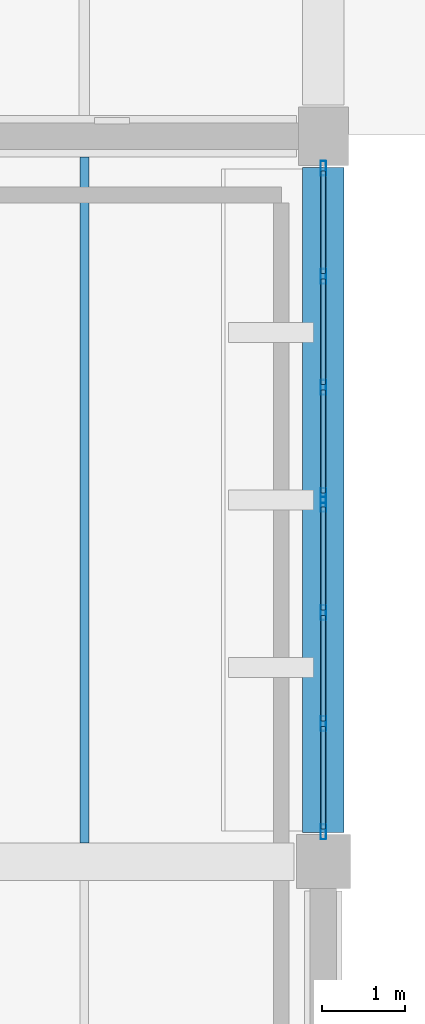
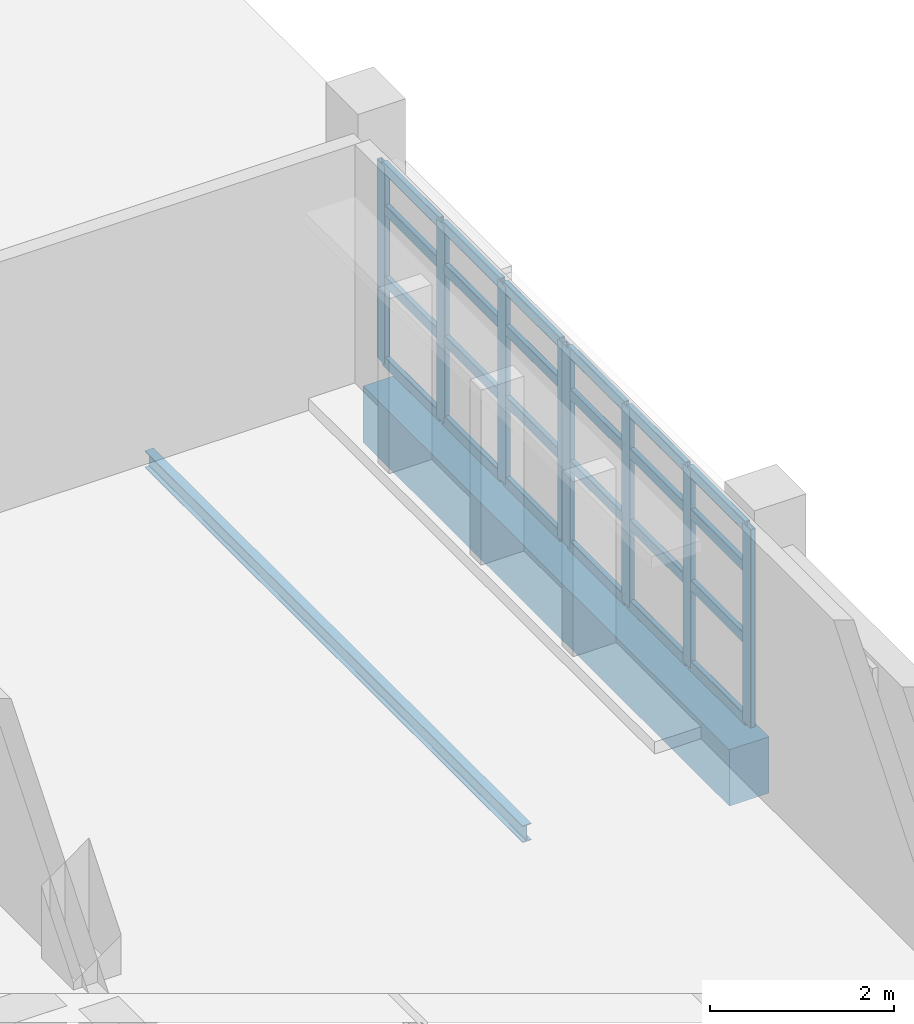
# One storey, part 64 of 93: 32 members, 2 beams, 2 elements without a shape of their own.
"""IFC4 building model written with IfcOpenShell, lengths in metres."""

from ifc_helpers import new_model, si_unit, direction, frame, origin, origin_2d, place, context, subcontext, project, spatial, rectangle, hollow_rectangle, i_section, extrude, material, material_profile, profile_set, type_object, element, aggregate, save


model = new_model("IFC4")

# Units and contexts
model_context = context("Model", 3, precision=1e-05, world=origin(), true_north=direction((0.0, 1.0)))
body_context = subcontext(model_context, "Body", "Model", "MODEL_VIEW")
ifc_project = project(units=[si_unit("LENGTHUNIT", "METRE"), si_unit("AREAUNIT", "SQUARE_METRE"), si_unit("VOLUMEUNIT", "CUBIC_METRE"), si_unit("PLANEANGLEUNIT", "RADIAN"), si_unit("MASSUNIT", "GRAM", prefix="KILO")], contexts=[model_context])

# Site, building, storey
site_placement = place(None, origin())
site = spatial("IfcSite", under=ifc_project, at=site_placement, CompositionType="ELEMENT")
building_placement = place(site_placement, origin())
building = spatial("IfcBuilding", under=site, at=building_placement, Name="Varnakota Cinema and Media Centre", CompositionType="ELEMENT")
storey_placement = place(building_placement, frame((0.0, 0.0, 12.0)))
storey = spatial("IfcBuildingStorey", under=building, at=storey_placement, Name="L03", CompositionType="ELEMENT", Elevation=12.0)

# Beams
ifc_material_1 = material(Name="Concrete M35", Category="concrete")
ifc_material_profile_1 = material_profile(ifc_material_1, rectangle(XDim=0.5, YDim=0.75, at=origin_2d()), Name="RCB 500x750")
ifc_profile_set_1 = profile_set([ifc_material_profile_1], Name="Concrete M35")
beam_type_1 = type_object("IfcBeamType", Name="BM-RC-500x750", PredefinedType="BEAM", material=ifc_profile_set_1)
beam_1_placement = place(storey_placement, frame((34.39990234375, 69.85009765625, -0.635009765625), z_axis=(0.0, 1.0, 0.0), x_axis=(-1.0, 0.0, 0.0)))
element("IfcBeam", 1, at=beam_1_placement, inside=storey, type_object=beam_type_1, Name="L03 girder E/9-10", PredefinedType="BEAM", context=body_context, shape_type="SweptSolid", body=[
    extrude(rectangle(XDim=0.5, YDim=0.75, at=origin_2d()), origin(), (0.0, 0.0, 1.0), 7.974853515625),
])
ifc_material_2 = material(Name="Structural steel Grade 350 (E350)", Category="steel")
ifc_material_profile_2 = material_profile(ifc_material_2, i_section(OverallWidth=0.110107421875, OverallDepth=0.22509765625, WebThickness=0.006591796875, FlangeThickness=0.01171875, FilletRadius=0.011962890625, at=origin_2d()), Name="ISMB 225")
ifc_profile_set_2 = profile_set([ifc_material_profile_2], Name="Structural steel Grade 350 (E350)")
beam_type_2 = type_object("IfcBeamType", Name="BM-ST-ISMB225", PredefinedType="JOIST", material=ifc_profile_set_2)
beam_2_placement = place(storey_placement, frame((31.533203125, 69.72509765625, -0.37255859375), z_axis=(0.0, 1.0, 0.0), x_axis=(-1.0, 0.0, 0.0)))
element("IfcBeam", 2, at=beam_2_placement, inside=storey, type_object=beam_type_2, Name="L03 steel joist D-E/9-10 #2", PredefinedType="JOIST", context=body_context, shape_type="SweptSolid", body=[
    extrude(i_section(OverallWidth=0.110107421875, OverallDepth=0.22509765625, WebThickness=0.006591796875, FlangeThickness=0.01171875, FilletRadius=0.011962890625, at=origin_2d()), origin(), (0.0, 0.0, 1.0), 8.224853515625),
])

# Curtain wall, members
ifc_material_3 = material(Name="Thermally broken anodised aluminium AW-6063", Category="aluminium")
curtain_wall_type = type_object("IfcCurtainWallType", Name="CW-STD-399x264", PredefinedType="USERDEFINED", material=ifc_material_3)
curtain_wall_1_placement = place(storey_placement, origin())
curtain_wall_1 = element("IfcCurtainWall", 3, at=curtain_wall_1_placement, inside=storey, type_object=curtain_wall_type, Name="L03 curtain wall CW-L03-V5-E-05-1", ObjectType="UNITISED CURTAIN WALL", PredefinedType="USERDEFINED")
ifc_material_4 = material(Name="Thermally broken anodised aluminium AW-6063", Category="aluminium")
ifc_material_profile_3 = material_profile(ifc_material_4, hollow_rectangle(XDim=0.06494140625, YDim=0.179931640625, WallThickness=0.00390625, InnerFilletRadius=0.00390625, OuterFilletRadius=0.008056640625, at=origin_2d()), Name="AL-MULLION 180x65x4")
ifc_profile_set_3 = profile_set([ifc_material_profile_3], Name="Thermally broken anodised aluminium AW-6063")
member_type_1 = type_object("IfcMemberType", Name="CWM-AL-180", PredefinedType="MULLION", material=ifc_profile_set_3)
member_1_placement = place(storey_placement, frame((34.39990234375, 69.857421875, 0.0), z_axis=(0.0, 0.0, 1.0), x_axis=(-1.0, 0.0, 0.0)))
member_1 = element("IfcMember", 4, at=member_1_placement, type_object=member_type_1, Name="CW43 mullion 1", PredefinedType="MULLION", context=body_context, shape_type="SweptSolid", body=[
    extrude(hollow_rectangle(XDim=0.06494140625, YDim=0.179931640625, WallThickness=0.00390625, InnerFilletRadius=0.00390625, OuterFilletRadius=0.008056640625, at=origin_2d()), origin(), (0.0, 0.0, 1.0), 2.635009765625),
])
member_2_placement = place(storey_placement, frame((34.39990234375, 71.15576171875, 0.0), z_axis=(0.0, 0.0, 1.0), x_axis=(-1.0, 0.0, 0.0)))
member_2 = element("IfcMember", 5, at=member_2_placement, type_object=member_type_1, Name="CW43 mullion 2", PredefinedType="MULLION", context=body_context, shape_type="SweptSolid", body=[
    extrude(hollow_rectangle(XDim=0.06494140625, YDim=0.179931640625, WallThickness=0.00390625, InnerFilletRadius=0.00390625, OuterFilletRadius=0.008056640625, at=origin_2d()), origin(), (0.0, 0.0, 1.0), 2.635009765625),
])
member_3_placement = place(storey_placement, frame((34.39990234375, 72.486572265625, 0.0), z_axis=(0.0, 0.0, 1.0), x_axis=(-1.0, 0.0, 0.0)))
member_3 = element("IfcMember", 6, at=member_3_placement, type_object=member_type_1, Name="CW43 mullion 3", PredefinedType="MULLION", context=body_context, shape_type="SweptSolid", body=[
    extrude(hollow_rectangle(XDim=0.06494140625, YDim=0.179931640625, WallThickness=0.00390625, InnerFilletRadius=0.00390625, OuterFilletRadius=0.008056640625, at=origin_2d()), origin(), (0.0, 0.0, 1.0), 2.635009765625),
])
member_4_placement = place(storey_placement, frame((34.39990234375, 73.784912109375, 0.0), z_axis=(0.0, 0.0, 1.0), x_axis=(-1.0, 0.0, 0.0)))
member_4 = element("IfcMember", 7, at=member_4_placement, type_object=member_type_1, Name="CW43 mullion 4", PredefinedType="MULLION", context=body_context, shape_type="SweptSolid", body=[
    extrude(hollow_rectangle(XDim=0.06494140625, YDim=0.179931640625, WallThickness=0.00390625, InnerFilletRadius=0.00390625, OuterFilletRadius=0.008056640625, at=origin_2d()), origin(), (0.0, 0.0, 1.0), 2.635009765625),
])

curtain_wall_2_placement = place(storey_placement, origin())
curtain_wall_2 = element("IfcCurtainWall", 8, at=curtain_wall_2_placement, inside=storey, type_object=curtain_wall_type, Name="L03 curtain wall CW-L03-V5-E-05-2", ObjectType="UNITISED CURTAIN WALL", PredefinedType="USERDEFINED")
member_5_placement = place(storey_placement, frame((34.39990234375, 73.889892578125, 0.0), z_axis=(0.0, 0.0, 1.0), x_axis=(-1.0, 0.0, 0.0)))
member_5 = element("IfcMember", 9, at=member_5_placement, type_object=member_type_1, Name="CW43 mullion 1", PredefinedType="MULLION", context=body_context, shape_type="SweptSolid", body=[
    extrude(hollow_rectangle(XDim=0.06494140625, YDim=0.179931640625, WallThickness=0.00390625, InnerFilletRadius=0.00390625, OuterFilletRadius=0.008056640625, at=origin_2d()), origin(), (0.0, 0.0, 1.0), 2.635009765625),
])
member_6_placement = place(storey_placement, frame((34.39990234375, 75.188232421875, 0.0), z_axis=(0.0, 0.0, 1.0), x_axis=(-1.0, 0.0, 0.0)))
member_6 = element("IfcMember", 10, at=member_6_placement, type_object=member_type_1, Name="CW43 mullion 2", PredefinedType="MULLION", context=body_context, shape_type="SweptSolid", body=[
    extrude(hollow_rectangle(XDim=0.06494140625, YDim=0.179931640625, WallThickness=0.00390625, InnerFilletRadius=0.00390625, OuterFilletRadius=0.008056640625, at=origin_2d()), origin(), (0.0, 0.0, 1.0), 2.635009765625),
])
member_7_placement = place(storey_placement, frame((34.39990234375, 76.519287109375, 0.0), z_axis=(0.0, 0.0, 1.0), x_axis=(-1.0, 0.0, 0.0)))
member_7 = element("IfcMember", 11, at=member_7_placement, type_object=member_type_1, Name="CW43 mullion 3", PredefinedType="MULLION", context=body_context, shape_type="SweptSolid", body=[
    extrude(hollow_rectangle(XDim=0.06494140625, YDim=0.179931640625, WallThickness=0.00390625, InnerFilletRadius=0.00390625, OuterFilletRadius=0.008056640625, at=origin_2d()), origin(), (0.0, 0.0, 1.0), 2.635009765625),
])
member_8_placement = place(storey_placement, frame((34.39990234375, 77.8173828125, 0.0), z_axis=(0.0, 0.0, 1.0), x_axis=(-1.0, 0.0, 0.0)))
member_8 = element("IfcMember", 12, at=member_8_placement, type_object=member_type_1, Name="CW43 mullion 4", PredefinedType="MULLION", context=body_context, shape_type="SweptSolid", body=[
    extrude(hollow_rectangle(XDim=0.06494140625, YDim=0.179931640625, WallThickness=0.00390625, InnerFilletRadius=0.00390625, OuterFilletRadius=0.008056640625, at=origin_2d()), origin(), (0.0, 0.0, 1.0), 2.635009765625),
])

# Member
ifc_material_5 = material(Name="Thermally broken anodised aluminium AW-6063", Category="aluminium")
ifc_material_profile_4 = material_profile(ifc_material_5, hollow_rectangle(XDim=0.06494140625, YDim=0.139892578125, WallThickness=0.00390625, InnerFilletRadius=0.00390625, OuterFilletRadius=0.008056640625, at=origin_2d()), Name="AL-TRANSOM 140x65x4")
ifc_profile_set_4 = profile_set([ifc_material_profile_4], Name="Thermally broken anodised aluminium AW-6063")
member_type_2 = type_object("IfcMemberType", Name="CWT-AL-140", PredefinedType="USERDEFINED", material=ifc_profile_set_4)
member_9_placement = place(storey_placement, frame((34.39990234375, 69.889892578125, 0.032470703125), z_axis=(0.0, 1.0, 0.0), x_axis=(-1.0, 0.0, 0.0)))
member_9 = element("IfcMember", 13, at=member_9_placement, type_object=member_type_2, Name="CW43 transom 1.1", ObjectType="TRANSOM", PredefinedType="USERDEFINED", context=body_context, shape_type="SweptSolid", body=[
    extrude(hollow_rectangle(XDim=0.06494140625, YDim=0.139892578125, WallThickness=0.00390625, InnerFilletRadius=0.00390625, OuterFilletRadius=0.008056640625, at=origin_2d()), origin(), (0.0, 0.0, 1.0), 1.2333984375),
])

member_10_placement = place(storey_placement, frame((34.39990234375, 69.889892578125, 1.106689453125), z_axis=(0.0, 1.0, 0.0), x_axis=(-1.0, 0.0, 0.0)))
member_10 = element("IfcMember", 14, at=member_10_placement, type_object=member_type_2, Name="CW43 transom 1.2", ObjectType="TRANSOM", PredefinedType="USERDEFINED", context=body_context, shape_type="SweptSolid", body=[
    extrude(hollow_rectangle(XDim=0.06494140625, YDim=0.139892578125, WallThickness=0.00390625, InnerFilletRadius=0.00390625, OuterFilletRadius=0.008056640625, at=origin_2d()), origin(), (0.0, 0.0, 1.0), 1.2333984375),
])

member_11_placement = place(storey_placement, frame((34.39990234375, 69.889892578125, 2.055419921875), z_axis=(0.0, 1.0, 0.0), x_axis=(-1.0, 0.0, 0.0)))
member_11 = element("IfcMember", 15, at=member_11_placement, type_object=member_type_2, Name="CW43 transom 1.3", ObjectType="TRANSOM", PredefinedType="USERDEFINED", context=body_context, shape_type="SweptSolid", body=[
    extrude(hollow_rectangle(XDim=0.06494140625, YDim=0.139892578125, WallThickness=0.00390625, InnerFilletRadius=0.00390625, OuterFilletRadius=0.008056640625, at=origin_2d()), origin(), (0.0, 0.0, 1.0), 1.2333984375),
])

member_12_placement = place(storey_placement, frame((34.39990234375, 69.889892578125, 2.6025390625), z_axis=(0.0, 1.0, 0.0), x_axis=(-1.0, 0.0, 0.0)))
member_12 = element("IfcMember", 16, at=member_12_placement, type_object=member_type_2, Name="CW43 transom 1.4", ObjectType="TRANSOM", PredefinedType="USERDEFINED", context=body_context, shape_type="SweptSolid", body=[
    extrude(hollow_rectangle(XDim=0.06494140625, YDim=0.139892578125, WallThickness=0.00390625, InnerFilletRadius=0.00390625, OuterFilletRadius=0.008056640625, at=origin_2d()), origin(), (0.0, 0.0, 1.0), 1.2333984375),
])

member_13_placement = place(storey_placement, frame((34.39990234375, 71.188232421875, 0.032470703125), z_axis=(0.0, 1.0, 0.0), x_axis=(-1.0, 0.0, 0.0)))
member_13 = element("IfcMember", 17, at=member_13_placement, type_object=member_type_2, Name="CW43 transom 2.1", ObjectType="TRANSOM", PredefinedType="USERDEFINED", context=body_context, shape_type="SweptSolid", body=[
    extrude(hollow_rectangle(XDim=0.06494140625, YDim=0.139892578125, WallThickness=0.00390625, InnerFilletRadius=0.00390625, OuterFilletRadius=0.008056640625, at=origin_2d()), origin(), (0.0, 0.0, 1.0), 1.265869140625),
])

member_14_placement = place(storey_placement, frame((34.39990234375, 71.188232421875, 1.106689453125), z_axis=(0.0, 1.0, 0.0), x_axis=(-1.0, 0.0, 0.0)))
member_14 = element("IfcMember", 18, at=member_14_placement, type_object=member_type_2, Name="CW43 transom 2.2", ObjectType="TRANSOM", PredefinedType="USERDEFINED", context=body_context, shape_type="SweptSolid", body=[
    extrude(hollow_rectangle(XDim=0.06494140625, YDim=0.139892578125, WallThickness=0.00390625, InnerFilletRadius=0.00390625, OuterFilletRadius=0.008056640625, at=origin_2d()), origin(), (0.0, 0.0, 1.0), 1.265869140625),
])

member_15_placement = place(storey_placement, frame((34.39990234375, 71.188232421875, 2.055419921875), z_axis=(0.0, 1.0, 0.0), x_axis=(-1.0, 0.0, 0.0)))
member_15 = element("IfcMember", 19, at=member_15_placement, type_object=member_type_2, Name="CW43 transom 2.3", ObjectType="TRANSOM", PredefinedType="USERDEFINED", context=body_context, shape_type="SweptSolid", body=[
    extrude(hollow_rectangle(XDim=0.06494140625, YDim=0.139892578125, WallThickness=0.00390625, InnerFilletRadius=0.00390625, OuterFilletRadius=0.008056640625, at=origin_2d()), origin(), (0.0, 0.0, 1.0), 1.265869140625),
])

member_16_placement = place(storey_placement, frame((34.39990234375, 71.188232421875, 2.6025390625), z_axis=(0.0, 1.0, 0.0), x_axis=(-1.0, 0.0, 0.0)))
member_16 = element("IfcMember", 20, at=member_16_placement, type_object=member_type_2, Name="CW43 transom 2.4", ObjectType="TRANSOM", PredefinedType="USERDEFINED", context=body_context, shape_type="SweptSolid", body=[
    extrude(hollow_rectangle(XDim=0.06494140625, YDim=0.139892578125, WallThickness=0.00390625, InnerFilletRadius=0.00390625, OuterFilletRadius=0.008056640625, at=origin_2d()), origin(), (0.0, 0.0, 1.0), 1.265869140625),
])

member_17_placement = place(storey_placement, frame((34.39990234375, 72.519287109375, 0.032470703125), z_axis=(0.0, 1.0, 0.0), x_axis=(-1.0, 0.0, 0.0)))
member_17 = element("IfcMember", 21, at=member_17_placement, type_object=member_type_2, Name="CW43 transom 3.1", ObjectType="TRANSOM", PredefinedType="USERDEFINED", context=body_context, shape_type="SweptSolid", body=[
    extrude(hollow_rectangle(XDim=0.06494140625, YDim=0.139892578125, WallThickness=0.00390625, InnerFilletRadius=0.00390625, OuterFilletRadius=0.008056640625, at=origin_2d()), origin(), (0.0, 0.0, 1.0), 1.233154296875),
])

member_18_placement = place(storey_placement, frame((34.39990234375, 72.519287109375, 1.106689453125), z_axis=(0.0, 1.0, 0.0), x_axis=(-1.0, 0.0, 0.0)))
member_18 = element("IfcMember", 22, at=member_18_placement, type_object=member_type_2, Name="CW43 transom 3.2", ObjectType="TRANSOM", PredefinedType="USERDEFINED", context=body_context, shape_type="SweptSolid", body=[
    extrude(hollow_rectangle(XDim=0.06494140625, YDim=0.139892578125, WallThickness=0.00390625, InnerFilletRadius=0.00390625, OuterFilletRadius=0.008056640625, at=origin_2d()), origin(), (0.0, 0.0, 1.0), 1.233154296875),
])

member_19_placement = place(storey_placement, frame((34.39990234375, 72.519287109375, 2.055419921875), z_axis=(0.0, 1.0, 0.0), x_axis=(-1.0, 0.0, 0.0)))
member_19 = element("IfcMember", 23, at=member_19_placement, type_object=member_type_2, Name="CW43 transom 3.3", ObjectType="TRANSOM", PredefinedType="USERDEFINED", context=body_context, shape_type="SweptSolid", body=[
    extrude(hollow_rectangle(XDim=0.06494140625, YDim=0.139892578125, WallThickness=0.00390625, InnerFilletRadius=0.00390625, OuterFilletRadius=0.008056640625, at=origin_2d()), origin(), (0.0, 0.0, 1.0), 1.233154296875),
])

member_20_placement = place(storey_placement, frame((34.39990234375, 72.519287109375, 2.6025390625), z_axis=(0.0, 1.0, 0.0), x_axis=(-1.0, 0.0, 0.0)))
member_20 = element("IfcMember", 24, at=member_20_placement, type_object=member_type_2, Name="CW43 transom 3.4", ObjectType="TRANSOM", PredefinedType="USERDEFINED", context=body_context, shape_type="SweptSolid", body=[
    extrude(hollow_rectangle(XDim=0.06494140625, YDim=0.139892578125, WallThickness=0.00390625, InnerFilletRadius=0.00390625, OuterFilletRadius=0.008056640625, at=origin_2d()), origin(), (0.0, 0.0, 1.0), 1.233154296875),
])

aggregate(curtain_wall_1, [member_1, member_2, member_3, member_4, member_9, member_10, member_11, member_12, member_13, member_14, member_15, member_16, member_17, member_18, member_19, member_20])

member_21_placement = place(storey_placement, frame((34.39990234375, 73.922607421875, 0.032470703125), z_axis=(0.0, 1.0, 0.0), x_axis=(-1.0, 0.0, 0.0)))
member_21 = element("IfcMember", 25, at=member_21_placement, type_object=member_type_2, Name="CW43 transom 1.1", ObjectType="TRANSOM", PredefinedType="USERDEFINED", context=body_context, shape_type="SweptSolid", body=[
    extrude(hollow_rectangle(XDim=0.06494140625, YDim=0.139892578125, WallThickness=0.00390625, InnerFilletRadius=0.00390625, OuterFilletRadius=0.008056640625, at=origin_2d()), origin(), (0.0, 0.0, 1.0), 1.233154296875),
])

member_22_placement = place(storey_placement, frame((34.39990234375, 73.922607421875, 1.106689453125), z_axis=(0.0, 1.0, 0.0), x_axis=(-1.0, 0.0, 0.0)))
member_22 = element("IfcMember", 26, at=member_22_placement, type_object=member_type_2, Name="CW43 transom 1.2", ObjectType="TRANSOM", PredefinedType="USERDEFINED", context=body_context, shape_type="SweptSolid", body=[
    extrude(hollow_rectangle(XDim=0.06494140625, YDim=0.139892578125, WallThickness=0.00390625, InnerFilletRadius=0.00390625, OuterFilletRadius=0.008056640625, at=origin_2d()), origin(), (0.0, 0.0, 1.0), 1.233154296875),
])

member_23_placement = place(storey_placement, frame((34.39990234375, 73.922607421875, 2.055419921875), z_axis=(0.0, 1.0, 0.0), x_axis=(-1.0, 0.0, 0.0)))
member_23 = element("IfcMember", 27, at=member_23_placement, type_object=member_type_2, Name="CW43 transom 1.3", ObjectType="TRANSOM", PredefinedType="USERDEFINED", context=body_context, shape_type="SweptSolid", body=[
    extrude(hollow_rectangle(XDim=0.06494140625, YDim=0.139892578125, WallThickness=0.00390625, InnerFilletRadius=0.00390625, OuterFilletRadius=0.008056640625, at=origin_2d()), origin(), (0.0, 0.0, 1.0), 1.233154296875),
])

member_24_placement = place(storey_placement, frame((34.39990234375, 73.922607421875, 2.6025390625), z_axis=(0.0, 1.0, 0.0), x_axis=(-1.0, 0.0, 0.0)))
member_24 = element("IfcMember", 28, at=member_24_placement, type_object=member_type_2, Name="CW43 transom 1.4", ObjectType="TRANSOM", PredefinedType="USERDEFINED", context=body_context, shape_type="SweptSolid", body=[
    extrude(hollow_rectangle(XDim=0.06494140625, YDim=0.139892578125, WallThickness=0.00390625, InnerFilletRadius=0.00390625, OuterFilletRadius=0.008056640625, at=origin_2d()), origin(), (0.0, 0.0, 1.0), 1.233154296875),
])

member_25_placement = place(storey_placement, frame((34.39990234375, 75.220947265625, 0.032470703125), z_axis=(0.0, 1.0, 0.0), x_axis=(-1.0, 0.0, 0.0)))
member_25 = element("IfcMember", 29, at=member_25_placement, type_object=member_type_2, Name="CW43 transom 2.1", ObjectType="TRANSOM", PredefinedType="USERDEFINED", context=body_context, shape_type="SweptSolid", body=[
    extrude(hollow_rectangle(XDim=0.06494140625, YDim=0.139892578125, WallThickness=0.00390625, InnerFilletRadius=0.00390625, OuterFilletRadius=0.008056640625, at=origin_2d()), origin(), (0.0, 0.0, 1.0), 1.265625),
])

member_26_placement = place(storey_placement, frame((34.39990234375, 75.220947265625, 1.106689453125), z_axis=(0.0, 1.0, 0.0), x_axis=(-1.0, 0.0, 0.0)))
member_26 = element("IfcMember", 30, at=member_26_placement, type_object=member_type_2, Name="CW43 transom 2.2", ObjectType="TRANSOM", PredefinedType="USERDEFINED", context=body_context, shape_type="SweptSolid", body=[
    extrude(hollow_rectangle(XDim=0.06494140625, YDim=0.139892578125, WallThickness=0.00390625, InnerFilletRadius=0.00390625, OuterFilletRadius=0.008056640625, at=origin_2d()), origin(), (0.0, 0.0, 1.0), 1.265625),
])

member_27_placement = place(storey_placement, frame((34.39990234375, 75.220947265625, 2.055419921875), z_axis=(0.0, 1.0, 0.0), x_axis=(-1.0, 0.0, 0.0)))
member_27 = element("IfcMember", 31, at=member_27_placement, type_object=member_type_2, Name="CW43 transom 2.3", ObjectType="TRANSOM", PredefinedType="USERDEFINED", context=body_context, shape_type="SweptSolid", body=[
    extrude(hollow_rectangle(XDim=0.06494140625, YDim=0.139892578125, WallThickness=0.00390625, InnerFilletRadius=0.00390625, OuterFilletRadius=0.008056640625, at=origin_2d()), origin(), (0.0, 0.0, 1.0), 1.265625),
])

member_28_placement = place(storey_placement, frame((34.39990234375, 75.220947265625, 2.6025390625), z_axis=(0.0, 1.0, 0.0), x_axis=(-1.0, 0.0, 0.0)))
member_28 = element("IfcMember", 32, at=member_28_placement, type_object=member_type_2, Name="CW43 transom 2.4", ObjectType="TRANSOM", PredefinedType="USERDEFINED", context=body_context, shape_type="SweptSolid", body=[
    extrude(hollow_rectangle(XDim=0.06494140625, YDim=0.139892578125, WallThickness=0.00390625, InnerFilletRadius=0.00390625, OuterFilletRadius=0.008056640625, at=origin_2d()), origin(), (0.0, 0.0, 1.0), 1.265625),
])

member_29_placement = place(storey_placement, frame((34.39990234375, 76.5517578125, 0.032470703125), z_axis=(0.0, 1.0, 0.0), x_axis=(-1.0, 0.0, 0.0)))
member_29 = element("IfcMember", 33, at=member_29_placement, type_object=member_type_2, Name="CW43 transom 3.1", ObjectType="TRANSOM", PredefinedType="USERDEFINED", context=body_context, shape_type="SweptSolid", body=[
    extrude(hollow_rectangle(XDim=0.06494140625, YDim=0.139892578125, WallThickness=0.00390625, InnerFilletRadius=0.00390625, OuterFilletRadius=0.008056640625, at=origin_2d()), origin(), (0.0, 0.0, 1.0), 1.233154296875),
])

member_30_placement = place(storey_placement, frame((34.39990234375, 76.5517578125, 1.106689453125), z_axis=(0.0, 1.0, 0.0), x_axis=(-1.0, 0.0, 0.0)))
member_30 = element("IfcMember", 34, at=member_30_placement, type_object=member_type_2, Name="CW43 transom 3.2", ObjectType="TRANSOM", PredefinedType="USERDEFINED", context=body_context, shape_type="SweptSolid", body=[
    extrude(hollow_rectangle(XDim=0.06494140625, YDim=0.139892578125, WallThickness=0.00390625, InnerFilletRadius=0.00390625, OuterFilletRadius=0.008056640625, at=origin_2d()), origin(), (0.0, 0.0, 1.0), 1.233154296875),
])

member_31_placement = place(storey_placement, frame((34.39990234375, 76.5517578125, 2.055419921875), z_axis=(0.0, 1.0, 0.0), x_axis=(-1.0, 0.0, 0.0)))
member_31 = element("IfcMember", 35, at=member_31_placement, type_object=member_type_2, Name="CW43 transom 3.3", ObjectType="TRANSOM", PredefinedType="USERDEFINED", context=body_context, shape_type="SweptSolid", body=[
    extrude(hollow_rectangle(XDim=0.06494140625, YDim=0.139892578125, WallThickness=0.00390625, InnerFilletRadius=0.00390625, OuterFilletRadius=0.008056640625, at=origin_2d()), origin(), (0.0, 0.0, 1.0), 1.233154296875),
])

member_32_placement = place(storey_placement, frame((34.39990234375, 76.5517578125, 2.6025390625), z_axis=(0.0, 1.0, 0.0), x_axis=(-1.0, 0.0, 0.0)))
member_32 = element("IfcMember", 36, at=member_32_placement, type_object=member_type_2, Name="CW43 transom 3.4", ObjectType="TRANSOM", PredefinedType="USERDEFINED", context=body_context, shape_type="SweptSolid", body=[
    extrude(hollow_rectangle(XDim=0.06494140625, YDim=0.139892578125, WallThickness=0.00390625, InnerFilletRadius=0.00390625, OuterFilletRadius=0.008056640625, at=origin_2d()), origin(), (0.0, 0.0, 1.0), 1.233154296875),
])

aggregate(curtain_wall_2, [member_5, member_6, member_7, member_8, member_21, member_22, member_23, member_24, member_25, member_26, member_27, member_28, member_29, member_30, member_31, member_32])

save(model, "model.ifc")
